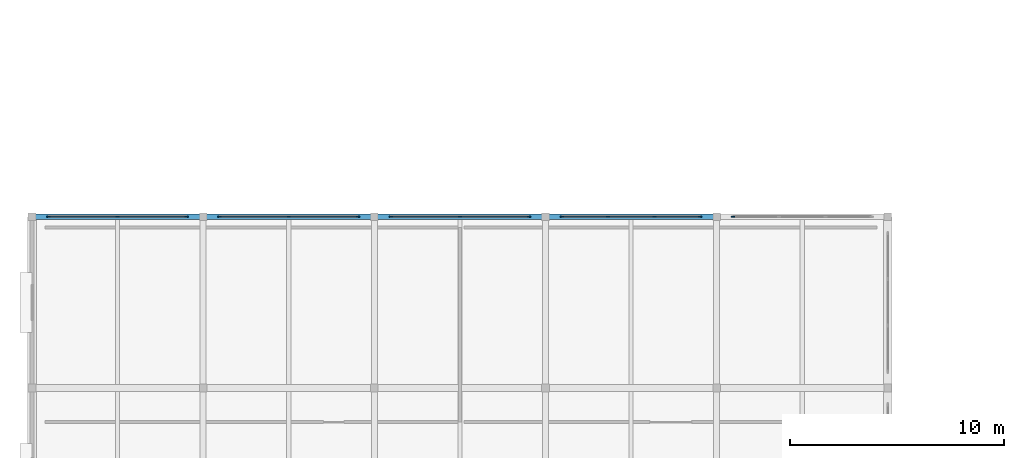
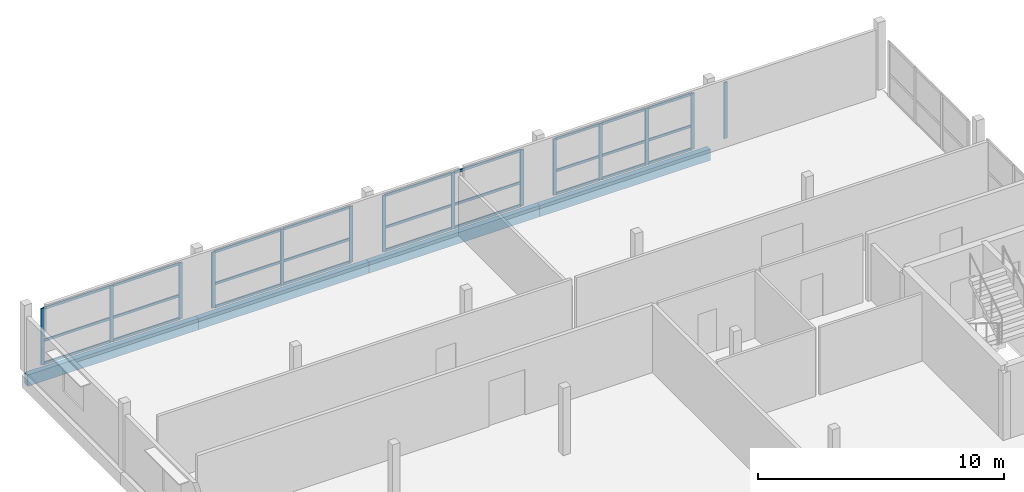
# One storey, part 6 of 22: 41 members, 4 beams, 5 elements without a shape of their own.
"""IFC4 building model written with IfcOpenShell, lengths in metres."""

from ifc_helpers import new_model, si_unit, direction, frame, origin, origin_2d, place, context, subcontext, project, spatial, rectangle, extrude, material, material_profile, profile_set, type_object, element, aggregate, save


model = new_model("IFC4")

# Units and contexts
model_context = context("Model", 3, precision=1e-05, world=origin(), true_north=direction((0.0, 1.0)))
body_context = subcontext(model_context, "Body", "Model", "MODEL_VIEW")
ifc_project = project(units=[si_unit("LENGTHUNIT", "METRE"), si_unit("AREAUNIT", "SQUARE_METRE"), si_unit("VOLUMEUNIT", "CUBIC_METRE"), si_unit("PLANEANGLEUNIT", "RADIAN"), si_unit("MASSUNIT", "GRAM", prefix="KILO")], contexts=[model_context])

# Site, building, storey
site_placement = place(None, origin())
site = spatial("IfcSite", under=ifc_project, at=site_placement, CompositionType="ELEMENT")
building_placement = place(site_placement, origin())
building = spatial("IfcBuilding", under=site, at=building_placement, Name="Vharandega Faculty of Natural Sciences", CompositionType="ELEMENT")
storey_placement = place(building_placement, frame((0.0, 0.0, 28.800048828125)))
storey = spatial("IfcBuildingStorey", under=building, at=storey_placement, Name="L07", CompositionType="ELEMENT", Elevation=28.800048828125)

# Curtain wall, members
ifc_material_1 = material(Name="Aluminium and solar-control glass curtain wall", Category="aluminium")
curtain_wall_type_1 = type_object("IfcCurtainWallType", Name="Unitised Curtain Wall System CW-07", PredefinedType="NOTDEFINED", material=ifc_material_1)
curtain_wall_1_placement = place(storey_placement, origin())
curtain_wall_1 = element("IfcCurtainWall", 1, at=curtain_wall_1_placement, inside=storey, type_object=curtain_wall_type_1, Name="Curtain Wall CW-L07-230", PredefinedType="NOTDEFINED")
ifc_material_2 = material(Name="Thermally broken aluminium 6063-T6", Category="aluminium")
ifc_material_profile_1 = material_profile(ifc_material_2, rectangle(XDim=0.06005859375, YDim=0.159912109375, at=origin_2d()), Name="ALU 60x160")
ifc_profile_set_1 = profile_set([ifc_material_profile_1], Name="Thermally broken aluminium 6063-T6")
member_type_1 = type_object("IfcMemberType", Name="CW Mullion 60x160", PredefinedType="MULLION", material=ifc_profile_set_1)
member_1_placement = place(storey_placement, frame((0.77001953125, 64.0, 0.0), z_axis=(0.0, 0.0, 1.0), x_axis=(0.0, 1.0, 0.0)))
member_1 = element("IfcMember", 2, at=member_1_placement, type_object=member_type_1, Name="CW-07 mullion 1", PredefinedType="MULLION", context=body_context, shape_type="SweptSolid", body=[
    extrude(rectangle(XDim=0.06005859375, YDim=0.159912109375, at=origin_2d()), origin(), (0.0, 0.0, 1.0), 2.780029296875),
])
member_2_placement = place(storey_placement, frame((4.0, 64.0, 0.0), z_axis=(0.0, 0.0, 1.0), x_axis=(0.0, 1.0, 0.0)))
member_2 = element("IfcMember", 3, at=member_2_placement, type_object=member_type_1, Name="CW-07 mullion 2", PredefinedType="MULLION", context=body_context, shape_type="SweptSolid", body=[
    extrude(rectangle(XDim=0.06005859375, YDim=0.159912109375, at=origin_2d()), origin(), (0.0, 0.0, 1.0), 2.780029296875),
])
member_3_placement = place(storey_placement, frame((7.22998046875, 64.0, 0.0), z_axis=(0.0, 0.0, 1.0), x_axis=(0.0, 1.0, 0.0)))
member_3 = element("IfcMember", 4, at=member_3_placement, type_object=member_type_1, Name="CW-07 mullion 3", PredefinedType="MULLION", context=body_context, shape_type="SweptSolid", body=[
    extrude(rectangle(XDim=0.06005859375, YDim=0.159912109375, at=origin_2d()), origin(), (0.0, 0.0, 1.0), 2.780029296875),
])

ifc_material_3 = material(Name="Aluminium and solar-control glass curtain wall", Category="aluminium")
curtain_wall_type_2 = type_object("IfcCurtainWallType", Name="Unitised Curtain Wall System CW-08", PredefinedType="NOTDEFINED", material=ifc_material_3)
curtain_wall_2_placement = place(storey_placement, origin())
curtain_wall_2 = element("IfcCurtainWall", 5, at=curtain_wall_2_placement, inside=storey, type_object=curtain_wall_type_2, Name="Curtain Wall CW-L07-231", PredefinedType="NOTDEFINED")
member_4_placement = place(storey_placement, frame((8.77001953125, 64.0, 0.0), z_axis=(0.0, 0.0, 1.0), x_axis=(0.0, 1.0, 0.0)))
member_4 = element("IfcMember", 6, at=member_4_placement, type_object=member_type_1, Name="CW-08 mullion 1", PredefinedType="MULLION", context=body_context, shape_type="SweptSolid", body=[
    extrude(rectangle(XDim=0.06005859375, YDim=0.159912109375, at=origin_2d()), origin(), (0.0, 0.0, 1.0), 2.780029296875),
])
member_5_placement = place(storey_placement, frame((12.0, 64.0, 0.0), z_axis=(0.0, 0.0, 1.0), x_axis=(0.0, 1.0, 0.0)))
member_5 = element("IfcMember", 7, at=member_5_placement, type_object=member_type_1, Name="CW-08 mullion 2", PredefinedType="MULLION", context=body_context, shape_type="SweptSolid", body=[
    extrude(rectangle(XDim=0.06005859375, YDim=0.159912109375, at=origin_2d()), origin(), (0.0, 0.0, 1.0), 2.780029296875),
])
member_6_placement = place(storey_placement, frame((15.22998046875, 64.0, 0.0), z_axis=(0.0, 0.0, 1.0), x_axis=(0.0, 1.0, 0.0)))
member_6 = element("IfcMember", 8, at=member_6_placement, type_object=member_type_1, Name="CW-08 mullion 3", PredefinedType="MULLION", context=body_context, shape_type="SweptSolid", body=[
    extrude(rectangle(XDim=0.06005859375, YDim=0.159912109375, at=origin_2d()), origin(), (0.0, 0.0, 1.0), 2.780029296875),
])

ifc_material_4 = material(Name="Aluminium and solar-control glass curtain wall", Category="aluminium")
curtain_wall_type_3 = type_object("IfcCurtainWallType", Name="Unitised Curtain Wall System CW-09", PredefinedType="NOTDEFINED", material=ifc_material_4)
curtain_wall_3_placement = place(storey_placement, origin())
curtain_wall_3 = element("IfcCurtainWall", 9, at=curtain_wall_3_placement, inside=storey, type_object=curtain_wall_type_3, Name="Curtain Wall CW-L07-232", PredefinedType="NOTDEFINED")
member_7_placement = place(storey_placement, frame((16.77001953125, 64.0, 0.0), z_axis=(0.0, 0.0, 1.0), x_axis=(0.0, 1.0, 0.0)))
member_7 = element("IfcMember", 10, at=member_7_placement, type_object=member_type_1, Name="CW-09 mullion 1", PredefinedType="MULLION", context=body_context, shape_type="SweptSolid", body=[
    extrude(rectangle(XDim=0.06005859375, YDim=0.159912109375, at=origin_2d()), origin(), (0.0, 0.0, 1.0), 2.780029296875),
])
member_8_placement = place(storey_placement, frame((20.0, 64.0, 0.0), z_axis=(0.0, 0.0, 1.0), x_axis=(0.0, 1.0, 0.0)))
member_8 = element("IfcMember", 11, at=member_8_placement, type_object=member_type_1, Name="CW-09 mullion 2", PredefinedType="MULLION", context=body_context, shape_type="SweptSolid", body=[
    extrude(rectangle(XDim=0.06005859375, YDim=0.159912109375, at=origin_2d()), origin(), (0.0, 0.0, 1.0), 2.780029296875),
])
member_9_placement = place(storey_placement, frame((23.22998046875, 64.0, 0.0), z_axis=(0.0, 0.0, 1.0), x_axis=(0.0, 1.0, 0.0)))
member_9 = element("IfcMember", 12, at=member_9_placement, type_object=member_type_1, Name="CW-09 mullion 3", PredefinedType="MULLION", context=body_context, shape_type="SweptSolid", body=[
    extrude(rectangle(XDim=0.06005859375, YDim=0.159912109375, at=origin_2d()), origin(), (0.0, 0.0, 1.0), 2.780029296875),
])

ifc_material_5 = material(Name="Aluminium and solar-control glass curtain wall", Category="aluminium")
curtain_wall_type_4 = type_object("IfcCurtainWallType", Name="Unitised Curtain Wall System CW-10", PredefinedType="NOTDEFINED", material=ifc_material_5)
curtain_wall_4_placement = place(storey_placement, origin())
curtain_wall_4 = element("IfcCurtainWall", 13, at=curtain_wall_4_placement, inside=storey, type_object=curtain_wall_type_4, Name="Curtain Wall CW-L07-233", PredefinedType="NOTDEFINED")
member_10_placement = place(storey_placement, frame((24.77001953125, 64.0, 0.0), z_axis=(0.0, 0.0, 1.0), x_axis=(0.0, 1.0, 0.0)))
member_10 = element("IfcMember", 14, at=member_10_placement, type_object=member_type_1, Name="CW-10 mullion 1", PredefinedType="MULLION", context=body_context, shape_type="SweptSolid", body=[
    extrude(rectangle(XDim=0.06005859375, YDim=0.159912109375, at=origin_2d()), origin(), (0.0, 0.0, 1.0), 2.780029296875),
])
member_11_placement = place(storey_placement, frame((26.913330078125, 64.0, 0.0), z_axis=(0.0, 0.0, 1.0), x_axis=(0.0, 1.0, 0.0)))
member_11 = element("IfcMember", 15, at=member_11_placement, type_object=member_type_1, Name="CW-10 mullion 2", PredefinedType="MULLION", context=body_context, shape_type="SweptSolid", body=[
    extrude(rectangle(XDim=0.06005859375, YDim=0.159912109375, at=origin_2d()), origin(), (0.0, 0.0, 1.0), 2.780029296875),
])
member_12_placement = place(storey_placement, frame((29.086669921875, 64.0, 0.0), z_axis=(0.0, 0.0, 1.0), x_axis=(0.0, 1.0, 0.0)))
member_12 = element("IfcMember", 16, at=member_12_placement, type_object=member_type_1, Name="CW-10 mullion 3", PredefinedType="MULLION", context=body_context, shape_type="SweptSolid", body=[
    extrude(rectangle(XDim=0.06005859375, YDim=0.159912109375, at=origin_2d()), origin(), (0.0, 0.0, 1.0), 2.780029296875),
])
member_13_placement = place(storey_placement, frame((31.22998046875, 64.0, 0.0), z_axis=(0.0, 0.0, 1.0), x_axis=(0.0, 1.0, 0.0)))
member_13 = element("IfcMember", 17, at=member_13_placement, type_object=member_type_1, Name="CW-10 mullion 4", PredefinedType="MULLION", context=body_context, shape_type="SweptSolid", body=[
    extrude(rectangle(XDim=0.06005859375, YDim=0.159912109375, at=origin_2d()), origin(), (0.0, 0.0, 1.0), 2.780029296875),
])

# Curtain wall, member
ifc_material_6 = material(Name="Aluminium and solar-control glass curtain wall", Category="aluminium")
curtain_wall_type_5 = type_object("IfcCurtainWallType", Name="Unitised Curtain Wall System CW-11", PredefinedType="NOTDEFINED", material=ifc_material_6)
curtain_wall_5_placement = place(storey_placement, origin())
curtain_wall_5 = element("IfcCurtainWall", 18, at=curtain_wall_5_placement, inside=storey, type_object=curtain_wall_type_5, Name="Curtain Wall CW-L07-234", PredefinedType="NOTDEFINED")
member_14_placement = place(storey_placement, frame((32.77001953125, 64.0, 0.0), z_axis=(0.0, 0.0, 1.0), x_axis=(0.0, 1.0, 0.0)))
member_14 = element("IfcMember", 19, at=member_14_placement, type_object=member_type_1, Name="CW-11 mullion 1", PredefinedType="MULLION", context=body_context, shape_type="SweptSolid", body=[
    extrude(rectangle(XDim=0.06005859375, YDim=0.159912109375, at=origin_2d()), origin(), (0.0, 0.0, 1.0), 2.780029296875),
])
aggregate(curtain_wall_5, [member_14])

# Member
ifc_material_7 = material(Name="Thermally broken aluminium 6063-T6", Category="aluminium")
ifc_material_profile_2 = material_profile(ifc_material_7, rectangle(XDim=0.06005859375, YDim=0.1201171875, at=origin_2d()), Name="ALU 60x120")
ifc_profile_set_2 = profile_set([ifc_material_profile_2], Name="Thermally broken aluminium 6063-T6")
member_type_2 = type_object("IfcMemberType", Name="CW Transom 60x120", PredefinedType="USERDEFINED", material=ifc_profile_set_2)
member_15_placement = place(storey_placement, frame((0.800048828125, 64.0, 0.030029296875), z_axis=(1.0, 0.0, 0.0), x_axis=(0.0, 1.0, 0.0)))
member_15 = element("IfcMember", 20, at=member_15_placement, type_object=member_type_2, Name="CW-07 transom 1.1", ObjectType="TRANSOM", PredefinedType="USERDEFINED", context=body_context, shape_type="SweptSolid", body=[
    extrude(rectangle(XDim=0.06005859375, YDim=0.1201171875, at=origin_2d()), origin(), (0.0, 0.0, 1.0), 3.169921875),
])

member_16_placement = place(storey_placement, frame((0.800048828125, 64.0, 1.16748046875), z_axis=(1.0, 0.0, 0.0), x_axis=(0.0, 1.0, 0.0)))
member_16 = element("IfcMember", 21, at=member_16_placement, type_object=member_type_2, Name="CW-07 transom 1.2", ObjectType="TRANSOM", PredefinedType="USERDEFINED", context=body_context, shape_type="SweptSolid", body=[
    extrude(rectangle(XDim=0.06005859375, YDim=0.1201171875, at=origin_2d()), origin(), (0.0, 0.0, 1.0), 3.169921875),
])

member_17_placement = place(storey_placement, frame((0.800048828125, 64.0, 2.75), z_axis=(1.0, 0.0, 0.0), x_axis=(0.0, 1.0, 0.0)))
member_17 = element("IfcMember", 22, at=member_17_placement, type_object=member_type_2, Name="CW-07 transom 1.3", ObjectType="TRANSOM", PredefinedType="USERDEFINED", context=body_context, shape_type="SweptSolid", body=[
    extrude(rectangle(XDim=0.06005859375, YDim=0.1201171875, at=origin_2d()), origin(), (0.0, 0.0, 1.0), 3.169921875),
])

member_18_placement = place(storey_placement, frame((4.030029296875, 64.0, 0.030029296875), z_axis=(1.0, 0.0, 0.0), x_axis=(0.0, 1.0, 0.0)))
member_18 = element("IfcMember", 23, at=member_18_placement, type_object=member_type_2, Name="CW-07 transom 2.1", ObjectType="TRANSOM", PredefinedType="USERDEFINED", context=body_context, shape_type="SweptSolid", body=[
    extrude(rectangle(XDim=0.06005859375, YDim=0.1201171875, at=origin_2d()), origin(), (0.0, 0.0, 1.0), 3.169921875),
])

member_19_placement = place(storey_placement, frame((4.030029296875, 64.0, 1.16748046875), z_axis=(1.0, 0.0, 0.0), x_axis=(0.0, 1.0, 0.0)))
member_19 = element("IfcMember", 24, at=member_19_placement, type_object=member_type_2, Name="CW-07 transom 2.2", ObjectType="TRANSOM", PredefinedType="USERDEFINED", context=body_context, shape_type="SweptSolid", body=[
    extrude(rectangle(XDim=0.06005859375, YDim=0.1201171875, at=origin_2d()), origin(), (0.0, 0.0, 1.0), 3.169921875),
])

member_20_placement = place(storey_placement, frame((4.030029296875, 64.0, 2.75), z_axis=(1.0, 0.0, 0.0), x_axis=(0.0, 1.0, 0.0)))
member_20 = element("IfcMember", 25, at=member_20_placement, type_object=member_type_2, Name="CW-07 transom 2.3", ObjectType="TRANSOM", PredefinedType="USERDEFINED", context=body_context, shape_type="SweptSolid", body=[
    extrude(rectangle(XDim=0.06005859375, YDim=0.1201171875, at=origin_2d()), origin(), (0.0, 0.0, 1.0), 3.169921875),
])

aggregate(curtain_wall_1, [member_1, member_2, member_3, member_15, member_16, member_17, member_18, member_19, member_20])

member_21_placement = place(storey_placement, frame((8.800048828125, 64.0, 0.030029296875), z_axis=(1.0, 0.0, 0.0), x_axis=(0.0, 1.0, 0.0)))
member_21 = element("IfcMember", 26, at=member_21_placement, type_object=member_type_2, Name="CW-08 transom 1.1", ObjectType="TRANSOM", PredefinedType="USERDEFINED", context=body_context, shape_type="SweptSolid", body=[
    extrude(rectangle(XDim=0.06005859375, YDim=0.1201171875, at=origin_2d()), origin(), (0.0, 0.0, 1.0), 3.169921875),
])

member_22_placement = place(storey_placement, frame((8.800048828125, 64.0, 1.16748046875), z_axis=(1.0, 0.0, 0.0), x_axis=(0.0, 1.0, 0.0)))
member_22 = element("IfcMember", 27, at=member_22_placement, type_object=member_type_2, Name="CW-08 transom 1.2", ObjectType="TRANSOM", PredefinedType="USERDEFINED", context=body_context, shape_type="SweptSolid", body=[
    extrude(rectangle(XDim=0.06005859375, YDim=0.1201171875, at=origin_2d()), origin(), (0.0, 0.0, 1.0), 3.169921875),
])

member_23_placement = place(storey_placement, frame((8.800048828125, 64.0, 2.75), z_axis=(1.0, 0.0, 0.0), x_axis=(0.0, 1.0, 0.0)))
member_23 = element("IfcMember", 28, at=member_23_placement, type_object=member_type_2, Name="CW-08 transom 1.3", ObjectType="TRANSOM", PredefinedType="USERDEFINED", context=body_context, shape_type="SweptSolid", body=[
    extrude(rectangle(XDim=0.06005859375, YDim=0.1201171875, at=origin_2d()), origin(), (0.0, 0.0, 1.0), 3.169921875),
])

member_24_placement = place(storey_placement, frame((12.030029296875, 64.0, 0.030029296875), z_axis=(1.0, 0.0, 0.0), x_axis=(0.0, 1.0, 0.0)))
member_24 = element("IfcMember", 29, at=member_24_placement, type_object=member_type_2, Name="CW-08 transom 2.1", ObjectType="TRANSOM", PredefinedType="USERDEFINED", context=body_context, shape_type="SweptSolid", body=[
    extrude(rectangle(XDim=0.06005859375, YDim=0.1201171875, at=origin_2d()), origin(), (0.0, 0.0, 1.0), 3.169921875),
])

member_25_placement = place(storey_placement, frame((12.030029296875, 64.0, 1.16748046875), z_axis=(1.0, 0.0, 0.0), x_axis=(0.0, 1.0, 0.0)))
member_25 = element("IfcMember", 30, at=member_25_placement, type_object=member_type_2, Name="CW-08 transom 2.2", ObjectType="TRANSOM", PredefinedType="USERDEFINED", context=body_context, shape_type="SweptSolid", body=[
    extrude(rectangle(XDim=0.06005859375, YDim=0.1201171875, at=origin_2d()), origin(), (0.0, 0.0, 1.0), 3.169921875),
])

member_26_placement = place(storey_placement, frame((12.030029296875, 64.0, 2.75), z_axis=(1.0, 0.0, 0.0), x_axis=(0.0, 1.0, 0.0)))
member_26 = element("IfcMember", 31, at=member_26_placement, type_object=member_type_2, Name="CW-08 transom 2.3", ObjectType="TRANSOM", PredefinedType="USERDEFINED", context=body_context, shape_type="SweptSolid", body=[
    extrude(rectangle(XDim=0.06005859375, YDim=0.1201171875, at=origin_2d()), origin(), (0.0, 0.0, 1.0), 3.169921875),
])

aggregate(curtain_wall_2, [member_4, member_5, member_6, member_21, member_22, member_23, member_24, member_25, member_26])

member_27_placement = place(storey_placement, frame((16.800048828125, 64.0, 0.030029296875), z_axis=(1.0, 0.0, 0.0), x_axis=(0.0, 1.0, 0.0)))
member_27 = element("IfcMember", 32, at=member_27_placement, type_object=member_type_2, Name="CW-09 transom 1.1", ObjectType="TRANSOM", PredefinedType="USERDEFINED", context=body_context, shape_type="SweptSolid", body=[
    extrude(rectangle(XDim=0.06005859375, YDim=0.1201171875, at=origin_2d()), origin(), (0.0, 0.0, 1.0), 3.169921875),
])

member_28_placement = place(storey_placement, frame((16.800048828125, 64.0, 1.16748046875), z_axis=(1.0, 0.0, 0.0), x_axis=(0.0, 1.0, 0.0)))
member_28 = element("IfcMember", 33, at=member_28_placement, type_object=member_type_2, Name="CW-09 transom 1.2", ObjectType="TRANSOM", PredefinedType="USERDEFINED", context=body_context, shape_type="SweptSolid", body=[
    extrude(rectangle(XDim=0.06005859375, YDim=0.1201171875, at=origin_2d()), origin(), (0.0, 0.0, 1.0), 3.169921875),
])

member_29_placement = place(storey_placement, frame((16.800048828125, 64.0, 2.75), z_axis=(1.0, 0.0, 0.0), x_axis=(0.0, 1.0, 0.0)))
member_29 = element("IfcMember", 34, at=member_29_placement, type_object=member_type_2, Name="CW-09 transom 1.3", ObjectType="TRANSOM", PredefinedType="USERDEFINED", context=body_context, shape_type="SweptSolid", body=[
    extrude(rectangle(XDim=0.06005859375, YDim=0.1201171875, at=origin_2d()), origin(), (0.0, 0.0, 1.0), 3.169921875),
])

member_30_placement = place(storey_placement, frame((20.030029296875, 64.0, 0.030029296875), z_axis=(1.0, 0.0, 0.0), x_axis=(0.0, 1.0, 0.0)))
member_30 = element("IfcMember", 35, at=member_30_placement, type_object=member_type_2, Name="CW-09 transom 2.1", ObjectType="TRANSOM", PredefinedType="USERDEFINED", context=body_context, shape_type="SweptSolid", body=[
    extrude(rectangle(XDim=0.06005859375, YDim=0.1201171875, at=origin_2d()), origin(), (0.0, 0.0, 1.0), 3.169921875),
])

member_31_placement = place(storey_placement, frame((20.030029296875, 64.0, 1.16748046875), z_axis=(1.0, 0.0, 0.0), x_axis=(0.0, 1.0, 0.0)))
member_31 = element("IfcMember", 36, at=member_31_placement, type_object=member_type_2, Name="CW-09 transom 2.2", ObjectType="TRANSOM", PredefinedType="USERDEFINED", context=body_context, shape_type="SweptSolid", body=[
    extrude(rectangle(XDim=0.06005859375, YDim=0.1201171875, at=origin_2d()), origin(), (0.0, 0.0, 1.0), 3.169921875),
])

member_32_placement = place(storey_placement, frame((20.030029296875, 64.0, 2.75), z_axis=(1.0, 0.0, 0.0), x_axis=(0.0, 1.0, 0.0)))
member_32 = element("IfcMember", 37, at=member_32_placement, type_object=member_type_2, Name="CW-09 transom 2.3", ObjectType="TRANSOM", PredefinedType="USERDEFINED", context=body_context, shape_type="SweptSolid", body=[
    extrude(rectangle(XDim=0.06005859375, YDim=0.1201171875, at=origin_2d()), origin(), (0.0, 0.0, 1.0), 3.169921875),
])

aggregate(curtain_wall_3, [member_7, member_8, member_9, member_27, member_28, member_29, member_30, member_31, member_32])

member_33_placement = place(storey_placement, frame((24.800048828125, 64.0, 0.030029296875), z_axis=(1.0, 0.0, 0.0), x_axis=(0.0, 1.0, 0.0)))
member_33 = element("IfcMember", 38, at=member_33_placement, type_object=member_type_2, Name="CW-10 transom 1.1", ObjectType="TRANSOM", PredefinedType="USERDEFINED", context=body_context, shape_type="SweptSolid", body=[
    extrude(rectangle(XDim=0.06005859375, YDim=0.1201171875, at=origin_2d()), origin(), (0.0, 0.0, 1.0), 2.083251953125),
])

member_34_placement = place(storey_placement, frame((24.800048828125, 64.0, 1.16748046875), z_axis=(1.0, 0.0, 0.0), x_axis=(0.0, 1.0, 0.0)))
member_34 = element("IfcMember", 39, at=member_34_placement, type_object=member_type_2, Name="CW-10 transom 1.2", ObjectType="TRANSOM", PredefinedType="USERDEFINED", context=body_context, shape_type="SweptSolid", body=[
    extrude(rectangle(XDim=0.06005859375, YDim=0.1201171875, at=origin_2d()), origin(), (0.0, 0.0, 1.0), 2.083251953125),
])

member_35_placement = place(storey_placement, frame((24.800048828125, 64.0, 2.75), z_axis=(1.0, 0.0, 0.0), x_axis=(0.0, 1.0, 0.0)))
member_35 = element("IfcMember", 40, at=member_35_placement, type_object=member_type_2, Name="CW-10 transom 1.3", ObjectType="TRANSOM", PredefinedType="USERDEFINED", context=body_context, shape_type="SweptSolid", body=[
    extrude(rectangle(XDim=0.06005859375, YDim=0.1201171875, at=origin_2d()), origin(), (0.0, 0.0, 1.0), 2.083251953125),
])

member_36_placement = place(storey_placement, frame((26.943359375, 64.0, 0.030029296875), z_axis=(1.0, 0.0, 0.0), x_axis=(0.0, 1.0, 0.0)))
member_36 = element("IfcMember", 41, at=member_36_placement, type_object=member_type_2, Name="CW-10 transom 2.1", ObjectType="TRANSOM", PredefinedType="USERDEFINED", context=body_context, shape_type="SweptSolid", body=[
    extrude(rectangle(XDim=0.06005859375, YDim=0.1201171875, at=origin_2d()), origin(), (0.0, 0.0, 1.0), 2.11328125),
])

member_37_placement = place(storey_placement, frame((26.943359375, 64.0, 1.16748046875), z_axis=(1.0, 0.0, 0.0), x_axis=(0.0, 1.0, 0.0)))
member_37 = element("IfcMember", 42, at=member_37_placement, type_object=member_type_2, Name="CW-10 transom 2.2", ObjectType="TRANSOM", PredefinedType="USERDEFINED", context=body_context, shape_type="SweptSolid", body=[
    extrude(rectangle(XDim=0.06005859375, YDim=0.1201171875, at=origin_2d()), origin(), (0.0, 0.0, 1.0), 2.11328125),
])

member_38_placement = place(storey_placement, frame((26.943359375, 64.0, 2.75), z_axis=(1.0, 0.0, 0.0), x_axis=(0.0, 1.0, 0.0)))
member_38 = element("IfcMember", 43, at=member_38_placement, type_object=member_type_2, Name="CW-10 transom 2.3", ObjectType="TRANSOM", PredefinedType="USERDEFINED", context=body_context, shape_type="SweptSolid", body=[
    extrude(rectangle(XDim=0.06005859375, YDim=0.1201171875, at=origin_2d()), origin(), (0.0, 0.0, 1.0), 2.11328125),
])

member_39_placement = place(storey_placement, frame((29.11669921875, 64.0, 0.030029296875), z_axis=(1.0, 0.0, 0.0), x_axis=(0.0, 1.0, 0.0)))
member_39 = element("IfcMember", 44, at=member_39_placement, type_object=member_type_2, Name="CW-10 transom 3.1", ObjectType="TRANSOM", PredefinedType="USERDEFINED", context=body_context, shape_type="SweptSolid", body=[
    extrude(rectangle(XDim=0.06005859375, YDim=0.1201171875, at=origin_2d()), origin(), (0.0, 0.0, 1.0), 2.083251953125),
])

member_40_placement = place(storey_placement, frame((29.11669921875, 64.0, 1.16748046875), z_axis=(1.0, 0.0, 0.0), x_axis=(0.0, 1.0, 0.0)))
member_40 = element("IfcMember", 45, at=member_40_placement, type_object=member_type_2, Name="CW-10 transom 3.2", ObjectType="TRANSOM", PredefinedType="USERDEFINED", context=body_context, shape_type="SweptSolid", body=[
    extrude(rectangle(XDim=0.06005859375, YDim=0.1201171875, at=origin_2d()), origin(), (0.0, 0.0, 1.0), 2.083251953125),
])

member_41_placement = place(storey_placement, frame((29.11669921875, 64.0, 2.75), z_axis=(1.0, 0.0, 0.0), x_axis=(0.0, 1.0, 0.0)))
member_41 = element("IfcMember", 46, at=member_41_placement, type_object=member_type_2, Name="CW-10 transom 3.3", ObjectType="TRANSOM", PredefinedType="USERDEFINED", context=body_context, shape_type="SweptSolid", body=[
    extrude(rectangle(XDim=0.06005859375, YDim=0.1201171875, at=origin_2d()), origin(), (0.0, 0.0, 1.0), 2.083251953125),
])

aggregate(curtain_wall_4, [member_10, member_11, member_12, member_13, member_33, member_34, member_35, member_36, member_37, member_38, member_39, member_40, member_41])

# Beams
ifc_material_8 = material(Name="Glulam GL28h", Category="wood")
ifc_material_profile_3 = material_profile(ifc_material_8, rectangle(XDim=0.239990234375, YDim=0.56005859375, at=origin_2d()), Name="GL28h 240x560")
ifc_profile_set_3 = profile_set([ifc_material_profile_3], Name="Glulam GL28h")
beam_type = type_object("IfcBeamType", Name="Glulam Spandrel Edge Beam 240x560", PredefinedType="SPANDREL", material=ifc_profile_set_3)
for number, where, z_axis, x_axis, name in (
    (47, (0.0, 64.0, -0.47998046875), (1.0, 0.0, 0.0), (0.0, 1.0, 0.0), "Beam L07 J/1-2"),
    (48, (8.0, 64.0, -0.47998046875), (1.0, 0.0, 0.0), (0.0, 1.0, 0.0), "Beam L07 J/2-3"),
    (49, (16.0, 64.0, -0.47998046875), (1.0, 0.0, 0.0), (0.0, 1.0, 0.0), "Beam L07 J/3-4"),
    (50, (24.0, 64.0, -0.47998046875), (1.0, 0.0, 0.0), (0.0, 1.0, 0.0), "Beam L07 J/4-5"),
):
    element("IfcBeam", number, at=place(storey_placement, frame(where, z_axis=z_axis, x_axis=x_axis)), inside=storey, type_object=beam_type, Name=name, PredefinedType="SPANDREL", context=body_context, shape_type="SweptSolid", body=[
        extrude(rectangle(XDim=0.239990234375, YDim=0.56005859375, at=origin_2d()), origin(), (0.0, 0.0, 1.0), 8.0),
    ])

save(model, "model.ifc")
